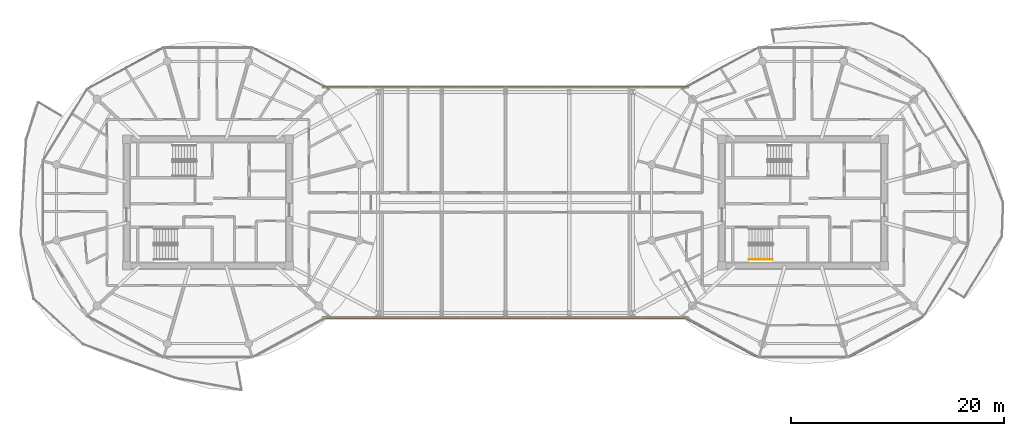
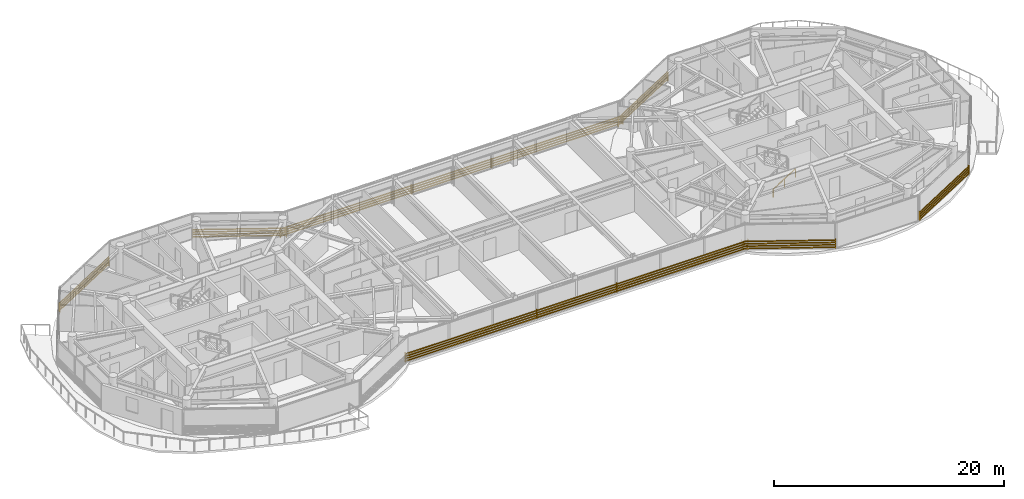
# One storey, part 22 of 23: 11 shading devices, 1 railing.
"""IFC4 building model written with IfcOpenShell, lengths in metres."""

from ifc_helpers import new_model, si_unit, direction, frame, origin, origin_2d, place, context, subcontext, project, spatial, rectangle, extrude, source, transform, mapped, material, type_object, type_shapes, element, save


model = new_model("IFC4")

# Units and contexts
model_context = context("Model", 3, precision=1e-05, world=origin(), true_north=direction((0.0, 1.0)))
body_context = subcontext(model_context, "Body", "Model", "MODEL_VIEW")
ifc_project = project(units=[si_unit("LENGTHUNIT", "METRE"), si_unit("AREAUNIT", "SQUARE_METRE"), si_unit("VOLUMEUNIT", "CUBIC_METRE"), si_unit("PLANEANGLEUNIT", "RADIAN"), si_unit("MASSUNIT", "GRAM", prefix="KILO")], contexts=[model_context])

# Site, building, storey
site_placement = place(None, origin())
site = spatial("IfcSite", under=ifc_project, at=site_placement, CompositionType="ELEMENT")
building_placement = place(site_placement, origin())
building = spatial("IfcBuilding", under=site, at=building_placement, Name="Norrkilde Senior Care Towers", CompositionType="ELEMENT")
storey_placement = place(building_placement, frame((0.0, 0.0, 216.949951171875)))
storey = spatial("IfcBuildingStorey", under=building, at=storey_placement, Name="L67", CompositionType="ELEMENT", Elevation=216.949951171875)

# Railing
ifc_material_1 = material(Name="Nordic Ash Timber", Category="wood")
railing_type = type_object("IfcRailingType", Name="Wall and Stair Handrail 900", PredefinedType="HANDRAIL", material=ifc_material_1)
railing_placement = place(storey_placement, frame((22.89990234375, -5.35009765625, 0.16943359375)))
element("IfcRailing", 1, at=railing_placement, inside=storey, type_object=railing_type, Name="L67 ST-E2 stair handrail 1", PredefinedType="HANDRAIL", context=body_context, shape_type="SweptSolid", body=[
    extrude(rectangle(XDim=0.048095703125, YDim=0.048095703125, at=origin_2d()), frame((0.0, 0.0, 0.8759765625), z_axis=(0.855512035549, 0.0, 0.517782924622), x_axis=(0.0, 1.0, 0.0)), (0.0, 0.0, 1.0), 2.618408203125),
    extrude(rectangle(XDim=0.0419921875, YDim=0.0419921875, at=origin_2d()), origin(), (0.0, 0.0, 1.0), 0.849853515625),
    extrude(rectangle(XDim=0.0419921875, YDim=0.0419921875, at=origin_2d()), frame((1.1201171875, 0.0, 0.677734375)), (0.0, 0.0, 1.0), 0.849853515625),
    extrude(rectangle(XDim=0.0419921875, YDim=0.0419921875, at=origin_2d()), frame((2.239990234375, 0.0, 1.355712890625)), (0.0, 0.0, 1.0), 0.849853515625),
])

# Shading devices
ifc_material_2 = material(Name="Architectural Terracotta", Category="masonry")
shading_device_type = type_object("IfcShadingDeviceType", Name="Horizontal Terracotta Baguette Rack", PredefinedType="USERDEFINED", material=ifc_material_2)
shared_shape_1 = source(origin(), body_context, "Body", "SweptSolid", [
    extrude(rectangle(XDim=0.070068359375, YDim=0.110107421875, at=origin_2d()), frame((0.0, 0.090087890625, 0.125), z_axis=(1.0, 0.0, 0.0), x_axis=(0.0, 1.0, 0.0)), (0.0, 0.0, 1.0), 8.197265625),
    extrude(rectangle(XDim=0.070068359375, YDim=0.110107421875, at=origin_2d()), frame((0.0, 0.090087890625, 0.375), z_axis=(1.0, 0.0, 0.0), x_axis=(0.0, 1.0, 0.0)), (0.0, 0.0, 1.0), 8.197265625),
    extrude(rectangle(XDim=0.070068359375, YDim=0.110107421875, at=origin_2d()), frame((0.0, 0.090087890625, 0.625), z_axis=(1.0, 0.0, 0.0), x_axis=(0.0, 1.0, 0.0)), (0.0, 0.0, 1.0), 8.197265625),
    extrude(rectangle(XDim=0.070068359375, YDim=0.110107421875, at=origin_2d()), frame((0.0, 0.090087890625, 0.875), z_axis=(1.0, 0.0, 0.0), x_axis=(0.0, 1.0, 0.0)), (0.0, 0.0, 1.0), 8.197265625),
    extrude(rectangle(XDim=0.050048828125, YDim=0.1552734375, at=origin_2d()), frame((0.02490234375, 0.047607421875, 0.0)), (0.0, 0.0, 1.0), 1.0),
    extrude(rectangle(XDim=0.050048828125, YDim=0.1552734375, at=origin_2d()), frame((8.17236328125, 0.047607421875, 0.0)), (0.0, 0.0, 1.0), 1.0),
])
for number, where, z_axis, x_axis, name in (
    (2, (-23.838134765625, 14.566162109375, 0.080078125), (0.0, 0.0, 1.0), (0.879378127234, -0.476143674053, 0.0), "L67 Drum W Terracotta Baguette Screen 01"),
    (3, (-39.370361328125, 10.6630859375, 0.080078125), (0.0, 0.0, 1.0), (0.879378127234, 0.476143674053, 0.0), "L67 Drum W Terracotta Baguette Screen 03"),
    (4, (16.629638671875, 10.6630859375, 0.080078125), (0.0, 0.0, 1.0), (0.879378127234, 0.476143674053, 0.0), "L67 Drum E Terracotta Baguette Screen 03"),
    (5, (23.838134765625, -14.566162109375, 0.080078125), (0.0, 0.0, 1.0), (-0.879378127234, 0.476143674053, 0.0), "L67 Drum E Terracotta Baguette Screen 07"),
    (6, (39.370361328125, -10.6630859375, 0.080078125), (0.0, 0.0, 1.0), (-0.879378127234, -0.476143674053, 0.0), "L67 Drum E Terracotta Baguette Screen 09"),
):
    element("IfcShadingDevice", number, at=place(storey_placement, frame(where, z_axis=z_axis, x_axis=x_axis)), inside=storey, type_object=shading_device_type, Name=name, ObjectType="BAGUETTE", PredefinedType="USERDEFINED", context=body_context, shape_type="MappedRepresentation", body=[
        mapped(shared_shape_1, transform((0.0, 0.0, 0.0), x_axis=(1.0, 0.0, 0.0), y_axis=(0.0, 1.0, 0.0), z_axis=(0.0, 0.0, 1.0), scale=1.0)),
    ])
shared_shape_2 = source(origin(), body_context, "Body", "SweptSolid", [
    extrude(rectangle(XDim=0.070068359375, YDim=0.110107421875, at=origin_2d()), frame((0.0, 0.090087890625, 0.125), z_axis=(1.0, 0.0, 0.0), x_axis=(0.0, 1.0, 0.0)), (0.0, 0.0, 1.0), 13.199951171875),
    extrude(rectangle(XDim=0.070068359375, YDim=0.110107421875, at=origin_2d()), frame((0.0, 0.090087890625, 0.375), z_axis=(1.0, 0.0, 0.0), x_axis=(0.0, 1.0, 0.0)), (0.0, 0.0, 1.0), 13.199951171875),
    extrude(rectangle(XDim=0.070068359375, YDim=0.110107421875, at=origin_2d()), frame((0.0, 0.090087890625, 0.625), z_axis=(1.0, 0.0, 0.0), x_axis=(0.0, 1.0, 0.0)), (0.0, 0.0, 1.0), 13.199951171875),
    extrude(rectangle(XDim=0.070068359375, YDim=0.110107421875, at=origin_2d()), frame((0.0, 0.090087890625, 0.875), z_axis=(1.0, 0.0, 0.0), x_axis=(0.0, 1.0, 0.0)), (0.0, 0.0, 1.0), 13.199951171875),
    extrude(rectangle(XDim=0.050048828125, YDim=0.1552734375, at=origin_2d()), frame((0.02490234375, 0.047607421875, 0.0)), (0.0, 0.0, 1.0), 1.0),
    extrude(rectangle(XDim=0.050048828125, YDim=0.1552734375, at=origin_2d()), frame((13.1748046875, 0.047607421875, 0.0)), (0.0, 0.0, 1.0), 1.0),
])
for number, where, z_axis, x_axis, name in (
    (7, (-17.199951171875, 10.820068359375, 0.080078125), (0.0, 0.0, 1.0), (1.0, 0.0, 0.0), "L67 Bridge North Baguette Screen 1"),
    (8, (4.0, 10.820068359375, 0.080078125), (0.0, 0.0, 1.0), (1.0, 0.0, 0.0), "L67 Bridge North Baguette Screen 3"),
    (9, (17.199951171875, -10.820068359375, 0.080078125), (0.0, 0.0, 1.0), (-1.0, 0.0, 0.0), "L67 Bridge South Baguette Screen 1"),
    (10, (-4.0, -10.820068359375, 0.080078125), (0.0, 0.0, 1.0), (-1.0, 0.0, 0.0), "L67 Bridge South Baguette Screen 3"),
):
    element("IfcShadingDevice", number, at=place(storey_placement, frame(where, z_axis=z_axis, x_axis=x_axis)), inside=storey, type_object=shading_device_type, Name=name, ObjectType="BAGUETTE", PredefinedType="USERDEFINED", context=body_context, shape_type="MappedRepresentation", body=[
        mapped(shared_shape_2, transform((0.0, 0.0, 0.0), x_axis=(1.0, 0.0, 0.0), y_axis=(0.0, 1.0, 0.0), z_axis=(0.0, 0.0, 1.0), scale=1.0)),
    ])
shared_shape_3 = source(origin(), body_context, "Body", "SweptSolid", [
    extrude(rectangle(XDim=0.070068359375, YDim=0.110107421875, at=origin_2d()), frame((0.0, 0.090087890625, 0.125), z_axis=(1.0, 0.0, 0.0), x_axis=(0.0, 1.0, 0.0)), (0.0, 0.0, 1.0), 8.0),
    extrude(rectangle(XDim=0.070068359375, YDim=0.110107421875, at=origin_2d()), frame((0.0, 0.090087890625, 0.375), z_axis=(1.0, 0.0, 0.0), x_axis=(0.0, 1.0, 0.0)), (0.0, 0.0, 1.0), 8.0),
    extrude(rectangle(XDim=0.070068359375, YDim=0.110107421875, at=origin_2d()), frame((0.0, 0.090087890625, 0.625), z_axis=(1.0, 0.0, 0.0), x_axis=(0.0, 1.0, 0.0)), (0.0, 0.0, 1.0), 8.0),
    extrude(rectangle(XDim=0.070068359375, YDim=0.110107421875, at=origin_2d()), frame((0.0, 0.090087890625, 0.875), z_axis=(1.0, 0.0, 0.0), x_axis=(0.0, 1.0, 0.0)), (0.0, 0.0, 1.0), 8.0),
    extrude(rectangle(XDim=0.050048828125, YDim=0.1552734375, at=origin_2d()), frame((0.02490234375, 0.047607421875, 0.0)), (0.0, 0.0, 1.0), 1.0),
    extrude(rectangle(XDim=0.050048828125, YDim=0.1552734375, at=origin_2d()), frame((7.97509765625, 0.047607421875, 0.0)), (0.0, 0.0, 1.0), 1.0),
])
type_shapes(shading_device_type, [shared_shape_1, shared_shape_2, shared_shape_3])
for number, where, z_axis, x_axis, name in (
    (11, (-4.0, 10.820068359375, 0.080078125), (0.0, 0.0, 1.0), (1.0, 0.0, 0.0), "L67 Bridge North Baguette Screen 2"),
    (12, (4.0, -10.820068359375, 0.080078125), (0.0, 0.0, 1.0), (-1.0, 0.0, 0.0), "L67 Bridge South Baguette Screen 2"),
):
    element("IfcShadingDevice", number, at=place(storey_placement, frame(where, z_axis=z_axis, x_axis=x_axis)), inside=storey, type_object=shading_device_type, Name=name, ObjectType="BAGUETTE", PredefinedType="USERDEFINED", context=body_context, shape_type="MappedRepresentation", body=[
        mapped(shared_shape_3, transform((0.0, 0.0, 0.0), x_axis=(1.0, 0.0, 0.0), y_axis=(0.0, 1.0, 0.0), z_axis=(0.0, 0.0, 1.0), scale=1.0)),
    ])

save(model, "model.ifc")
